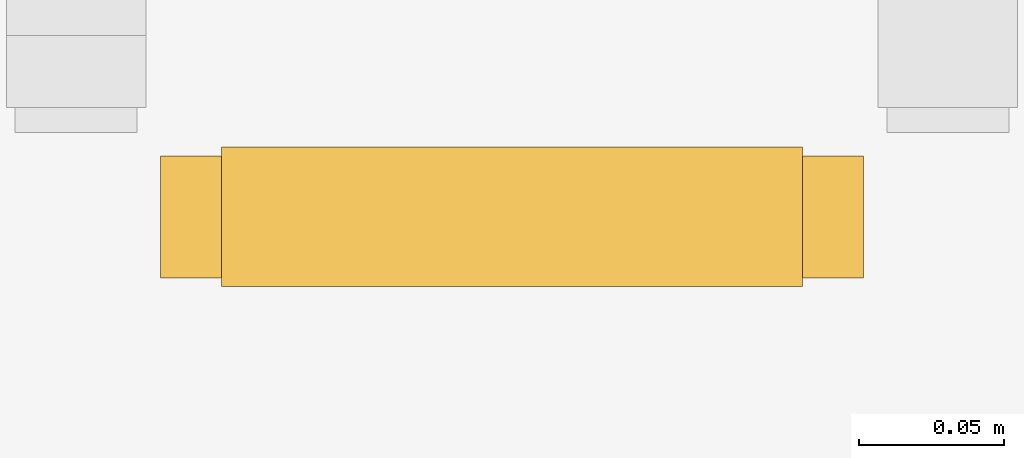
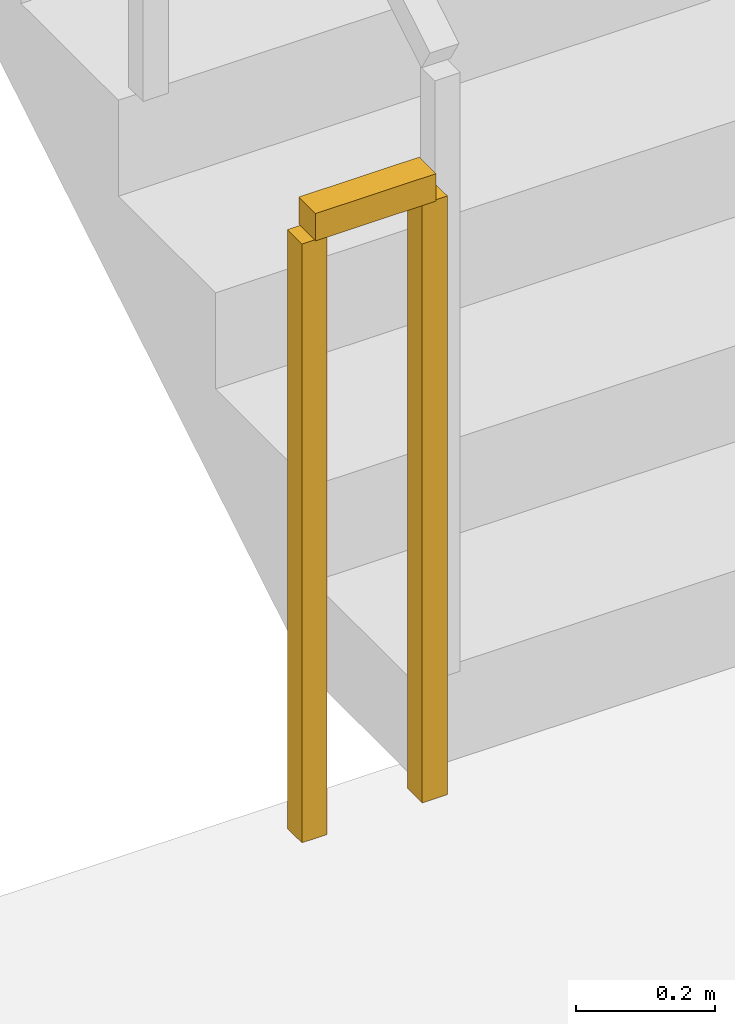
# One storey, part 16 of 20: 1 railing.
"""IFC4 building model written with IfcOpenShell, lengths in metres."""

import ifcopenshell
import ifcopenshell.guid

model = None  # the IFC model being written
_history = None  # IfcOwnerHistory: only IFC2X3 demands one
_inside = {}  # id of a spatial element -> (the spatial element, [elements in it])
_under = {}  # id of a project, library or spatial element -> (it, [spatial elements below it])
_declared = {}  # id of a project -> (the project, [libraries it declares])
_typed = {}  # id of a type object -> (the type object, [elements of that type])
_made_of = {}  # id of a material, layer set ... -> (it, [elements and type objects made of it])


def new_model(schema):
    """Start an empty IFC model of exactly this schema.

    Asked for "IFC4X3", IfcOpenShell would pick the latest addendum, in which some entities
    have other attributes; the version numbers below select the first issue.
    IFC2X3 requires an IfcOwnerHistory on every rooted entity: one is made here for all.
    """
    global model, _history
    if schema == "IFC4X3":
        model = ifcopenshell.file(schema_version=(4, 3, 0, 0))
    else:
        model = ifcopenshell.file(schema=schema)
    _inside.clear()
    _under.clear()
    _declared.clear()
    _typed.clear()
    _made_of.clear()
    _history = None
    if model.schema == "IFC2X3":
        org = make("IfcOrganization", Name="unknown")
        user = make(
            "IfcPersonAndOrganization",
            ThePerson=make("IfcPerson", FamilyName="unknown"),
            TheOrganization=org,
        )
        app = make(
            "IfcApplication",
            ApplicationDeveloper=org,
            Version="unknown",
            ApplicationFullName="unknown",
            ApplicationIdentifier="unknown",
        )
        _history = make(
            "IfcOwnerHistory",
            OwningUser=user,
            OwningApplication=app,
            ChangeAction="ADDED",
            CreationDate=0,
        )
    return model


def make(cls, **values):
    """One entity of the class cls with the attributes given. An attribute that is None is left unset."""
    return model.create_entity(
        cls, **{name: value for name, value in values.items() if value is not None}
    )


def rooted(cls, **values):
    """An entity with a GlobalId (a new one), such as an element, a storey or a relation."""
    return make(cls, GlobalId=ifcopenshell.guid.new(), OwnerHistory=_history, **values)


def si_unit(unit_type, name, prefix=None):
    """IfcSIUnit, for example si_unit("LENGTHUNIT", "METRE", prefix="MILLI")."""
    return make("IfcSIUnit", UnitType=unit_type, Prefix=prefix, Name=name)


def assignment(units):
    """IfcUnitAssignment: the units of a project."""
    return None if units is None else make("IfcUnitAssignment", Units=units)


def point(xyz):
    """IfcCartesianPoint."""
    return None if xyz is None else make("IfcCartesianPoint", Coordinates=xyz)


def direction(xyz):
    """IfcDirection."""
    return None if xyz is None else make("IfcDirection", DirectionRatios=xyz)


def frame(location, z_axis=None, x_axis=None):
    """IfcAxis2Placement3D, a coordinate frame: its origin and axes. An axis left out is left unset."""
    return make(
        "IfcAxis2Placement3D",
        Location=point(location),
        Axis=direction(z_axis),
        RefDirection=direction(x_axis),
    )


def frame_2d(location, x_axis=None):
    """IfcAxis2Placement2D, a coordinate frame in the plane: its origin and x axis."""
    return make(
        "IfcAxis2Placement2D", Location=point(location), RefDirection=direction(x_axis)
    )


def origin():
    """The frame at (0, 0, 0) with its axes left unset."""
    return frame((0.0, 0.0, 0.0))


def origin_2d():
    """The frame at (0, 0) in the plane with its x axis left unset."""
    return frame_2d((0.0, 0.0))


def place(relative_to, where):
    """IfcLocalPlacement: puts the frame where relative to a parent placement (None: the world)."""
    return make(
        "IfcLocalPlacement", PlacementRelTo=relative_to, RelativePlacement=where
    )


def context(
    kind, dimensions, precision=None, world=None, true_north=None, identifier=None
):
    """IfcGeometricRepresentationContext, for example the 3D "Model" context."""
    return make(
        "IfcGeometricRepresentationContext",
        ContextIdentifier=identifier,
        ContextType=kind,
        CoordinateSpaceDimension=dimensions,
        Precision=precision,
        WorldCoordinateSystem=world,
        TrueNorth=true_north,
    )


def subcontext(parent, identifier, kind, view, scale=None):
    """IfcGeometricRepresentationSubContext, for example "Body" below "Model"."""
    return make(
        "IfcGeometricRepresentationSubContext",
        ContextIdentifier=identifier,
        ContextType=kind,
        ParentContext=parent,
        TargetScale=scale,
        TargetView=view,
    )


def project(units=None, contexts=None):
    """IfcProject with its units and contexts."""
    return rooted(
        "IfcProject",
        Name="project",
        RepresentationContexts=contexts,
        UnitsInContext=assignment(units),
    )


def spatial(cls, under=None, at=None, **own):
    """A site, building, storey or space (cls), placed at a placement, below another one or the project."""
    s = rooted(cls, ObjectPlacement=at, **own)
    if under is not None:
        _under.setdefault(under.id(), (under, []))[1].append(s)
    return s


def profile(cls, at=None, kind="AREA", **sizes):
    """A parametric profile (cls). Its sizes go by their IFC names, for example OverallWidth=200.0."""
    return make(cls, ProfileType=kind, Position=at, **sizes)


def rectangle(**sizes):
    """IfcRectangleProfileDef."""
    return profile("IfcRectangleProfileDef", **sizes)


def extrude(swept, where, along, depth):
    """IfcExtrudedAreaSolid: the profile swept, set in the frame where, extruded along a direction by depth."""
    return make(
        "IfcExtrudedAreaSolid",
        SweptArea=swept,
        Position=where,
        ExtrudedDirection=direction(along),
        Depth=depth,
    )


def shape(context_of_items, identifier, shape_type, items):
    """IfcShapeRepresentation: the items that make up one representation, for example the "Body"."""
    return make(
        "IfcShapeRepresentation",
        ContextOfItems=context_of_items,
        RepresentationIdentifier=identifier,
        RepresentationType=shape_type,
        Items=items,
    )


def material(Name=None, Category=None):
    """IfcMaterial."""
    return make("IfcMaterial", Name=Name, Category=Category)


def made_of(thing, what):
    """Note that an element or type object is made of a material, layer set ...; save() writes the relation."""
    if what is not None:
        _made_of.setdefault(what.id(), (what, []))[1].append(thing)
    return thing


def type_object(cls, material=None, **own):
    """A type object (cls), such as IfcWallType, which elements share."""
    return made_of(rooted(cls, **own), material)


def element(
    cls,
    number,
    at=None,
    inside=None,
    cuts=None,
    type_object=None,
    material=None,
    context=None,
    identifier="Body",
    shape_type=None,
    held_by="IfcProductDefinitionShape",
    body=None,
    shapes=None,
    **own,
):
    """One element of the class cls, such as IfcWall. Its Tag is "e" and its number.

    at: its placement. inside: the storey or other place that contains it. cuts: it is an
    opening in that element (IfcRelVoidsElement). A single representation is given by context,
    identifier, shape_type and body (its items); several are given by shapes. held_by: the class
    of the entity that holds the representations. save() writes the other relations.
    """
    e = rooted(cls, Tag="e%d" % number, ObjectPlacement=at, **own)
    if body is not None:
        shapes = [shape(context, identifier, shape_type, body)]
    if shapes is not None:
        e.Representation = make(held_by, Representations=shapes)
    if inside is not None:
        _inside.setdefault(inside.id(), (inside, []))[1].append(e)
    if cuts is not None:
        rooted(
            "IfcRelVoidsElement", RelatingBuildingElement=cuts, RelatedOpeningElement=e
        )
    if type_object is not None:
        _typed.setdefault(type_object.id(), (type_object, []))[1].append(e)
    return made_of(e, material)


def aggregate(whole, parts):
    """IfcRelAggregates: a whole, such as a stair, and the parts it consists of."""
    return rooted("IfcRelAggregates", RelatingObject=whole, RelatedObjects=parts)


def save(model, path):
    """Write the relations noted so far, then the file.

    IfcRelAggregates (storeys below a building ...), IfcRelContainedInSpatialStructure (elements
    in a storey), IfcRelDefinesByType, IfcRelAssociatesMaterial and IfcRelDeclares: one each for
    every whole, place, type object, material and project.
    """
    for whole, parts in _under.values():
        aggregate(whole, parts)
    for where, things in _inside.values():
        rooted(
            "IfcRelContainedInSpatialStructure",
            RelatedElements=things,
            RelatingStructure=where,
        )
    for kind, things in _typed.values():
        rooted("IfcRelDefinesByType", RelatedObjects=things, RelatingType=kind)
    for what, things in _made_of.values():
        rooted("IfcRelAssociatesMaterial", RelatedObjects=things, RelatingMaterial=what)
    for by, libraries in _declared.values():
        rooted("IfcRelDeclares", RelatingContext=by, RelatedDefinitions=libraries)
    model.write(path)


model = new_model("IFC4")

# Units and contexts
model_context = context("Model", 3, precision=1e-05, world=origin(), true_north=direction((0.0, 1.0)))
body_context = subcontext(model_context, "Body", "Model", "MODEL_VIEW")
ifc_project = project(units=[si_unit("LENGTHUNIT", "METRE"), si_unit("AREAUNIT", "SQUARE_METRE"), si_unit("VOLUMEUNIT", "CUBIC_METRE"), si_unit("PLANEANGLEUNIT", "RADIAN"), si_unit("MASSUNIT", "GRAM", prefix="KILO")], contexts=[model_context])

# Site, building, storey
site_placement = place(None, origin())
site = spatial("IfcSite", under=ifc_project, at=site_placement, CompositionType="ELEMENT")
building_placement = place(site_placement, origin())
building = spatial("IfcBuilding", under=site, at=building_placement, Name="Haldenkirk Collegiate Tower", CompositionType="ELEMENT")
storey_placement = place(building_placement, frame((0.0, 0.0, 11.39990234375)))
storey = spatial("IfcBuildingStorey", under=building, at=storey_placement, Name="L02", CompositionType="ELEMENT", Elevation=11.39990234375)

# Railing
ifc_material = material(Name="Painted architectural tubular steel", Category="steel")
railing_type = type_object("IfcRailingType", Name="RLG-STAIR-GUARD-1100", PredefinedType="BALUSTRADE", material=ifc_material)
railing_placement = place(storey_placement, frame((29.300048828125, 20.0, 0.0)))
element("IfcRailing", 1, at=railing_placement, inside=storey, type_object=railing_type, Name="L02 ST-1 stair guard 4", PredefinedType="BALUSTRADE", context=body_context, shape_type="SweptSolid", body=[
    extrude(rectangle(XDim=0.048095703125, YDim=0.048095703125, at=origin_2d()), frame((0.0, 0.0, 1.076171875), z_axis=(-1.0, 0.0, 0.0), x_axis=(0.0, -1.0, 0.0)), (0.0, 0.0, 1.0), 0.199951171875),
    extrude(rectangle(XDim=0.0419921875, YDim=0.0419921875, at=origin_2d()), origin(), (0.0, 0.0, 1.0), 1.052001953125),
    extrude(rectangle(XDim=0.0419921875, YDim=0.0419921875, at=origin_2d()), frame((-0.199951171875, 0.0, 0.0)), (0.0, 0.0, 1.0), 1.052001953125),
])

save(model, "model.ifc")
